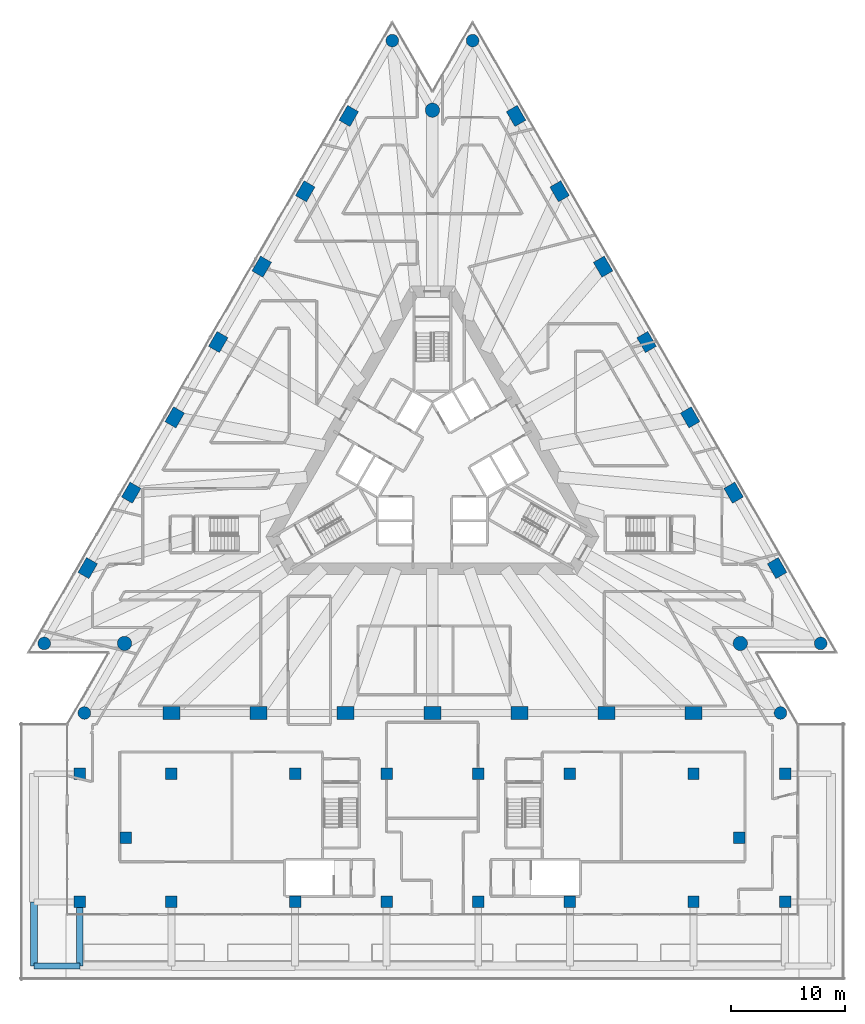
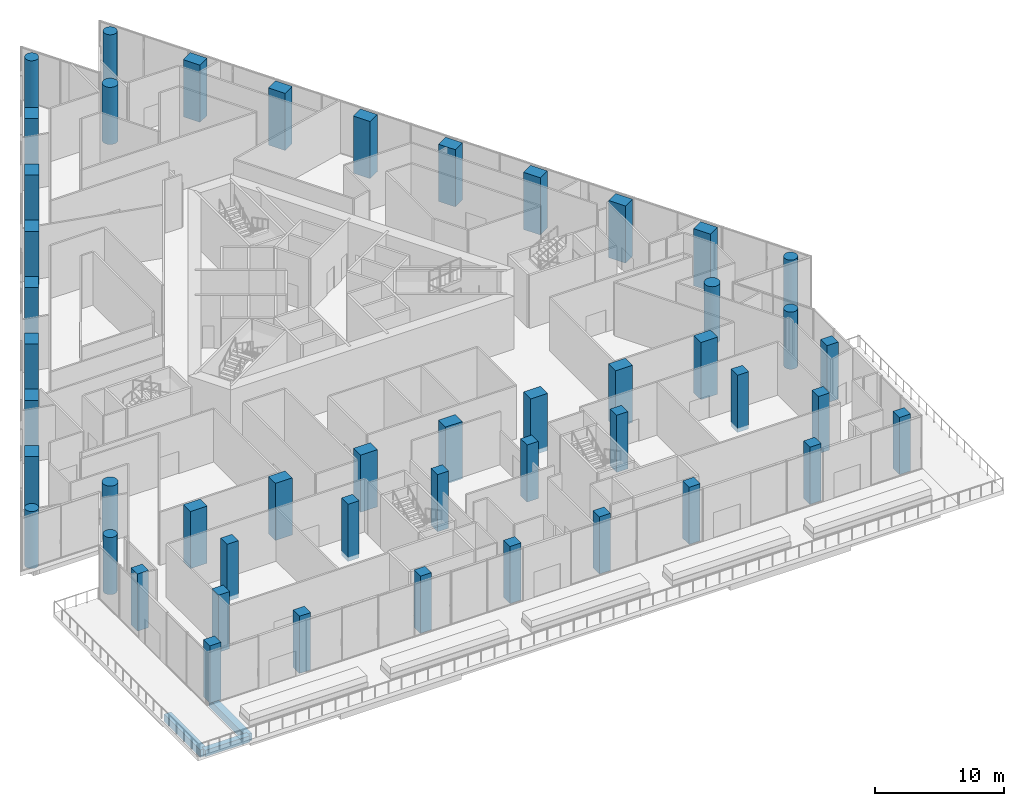
# One storey, part 1 of 32: 48 columns, 3 beams.
"""IFC4 building model written with IfcOpenShell, lengths in metres."""

from ifc_helpers import new_model, si_unit, direction, frame, origin, origin_2d, place, context, subcontext, project, spatial, rectangle, circle, extrude, material, material_profile, profile_set, type_object, element, save


model = new_model("IFC4")

# Units and contexts
model_context = context("Model", 3, precision=1e-05, world=origin(), true_north=direction((0.0, 1.0)))
body_context = subcontext(model_context, "Body", "Model", "MODEL_VIEW")
ifc_project = project(units=[si_unit("LENGTHUNIT", "METRE"), si_unit("AREAUNIT", "SQUARE_METRE"), si_unit("VOLUMEUNIT", "CUBIC_METRE"), si_unit("PLANEANGLEUNIT", "RADIAN"), si_unit("MASSUNIT", "GRAM", prefix="KILO")], contexts=[model_context])

# Site, building, storey
site_placement = place(None, origin())
site = spatial("IfcSite", under=ifc_project, at=site_placement, CompositionType="ELEMENT")
building_placement = place(site_placement, origin())
building = spatial("IfcBuilding", under=site, at=building_placement, Name="Triada Interchange Tower", CompositionType="ELEMENT")
storey_placement = place(building_placement, frame((0.0, 0.0, 14.5)))
storey = spatial("IfcBuildingStorey", under=building, at=storey_placement, Name="L02", CompositionType="ELEMENT", Elevation=14.5)

# Columns
ifc_material_1 = material(Name="Concrete C70/85", Category="concrete")
ifc_material_profile_1 = material_profile(ifc_material_1, rectangle(XDim=1.5, YDim=1.10009765625, at=origin_2d()), Name="RC 1500x1100")
ifc_profile_set_1 = profile_set([ifc_material_profile_1], Name="Concrete C70/85")
column_type_1 = type_object("IfcColumnType", Name="Column P face RC 1500x1100", PredefinedType="COLUMN", material=ifc_profile_set_1)
for number, where, z_axis, x_axis, name in (
    (1, (-7.306884765625, 30.5439453125, -0.39990234375), (0.0, 0.0, 1.0), (0.5, 0.866025403784, 0.0), "Column CP02 L02"),
    (2, (-11.10595703125, 23.9619140625, -0.39990234375), (0.0, 0.0, 1.0), (0.5, 0.866025403784, 0.0), "Column CP03 L02"),
    (3, (-14.906005859375, 17.381103515625, -0.39990234375), (0.0, 0.0, 1.0), (0.5, 0.866025403784, 0.0), "Column CP04 L02"),
    (4, (-18.7060546875, 10.800048828125, -0.39990234375), (0.0, 0.0, 1.0), (0.5, 0.866025403784, 0.0), "Column CP05 L02"),
    (5, (-22.506103515625, 4.218994140625, -0.39990234375), (0.0, 0.0, 1.0), (0.5, 0.866025403784, 0.0), "Column CP06 L02"),
    (6, (-26.305908203125, -2.362060546875, -0.39990234375), (0.0, 0.0, 1.0), (0.5, 0.866025403784, 0.0), "Column CP07 L02"),
    (7, (-30.10498046875, -8.944091796875, -0.39990234375), (0.0, 0.0, 1.0), (0.5, 0.866025403784, 0.0), "Column CP08 L02"),
    (8, (-22.798095703125, -21.60009765625, -0.39990234375), (0.0, 0.0, 1.0), (1.0, 0.0, 0.0), "Column CP11 L02"),
    (9, (-15.197998046875, -21.60009765625, -0.39990234375), (0.0, 0.0, 1.0), (1.0, 0.0, 0.0), "Column CP12 L02"),
    (10, (-7.59912109375, -21.60009765625, -0.39990234375), (0.0, 0.0, 1.0), (1.0, 0.0, 0.0), "Column CP13 L02"),
    (11, (0.0, -21.60009765625, -0.39990234375), (0.0, 0.0, 1.0), (1.0, 0.0, 0.0), "Column CP14 L02"),
    (12, (7.59912109375, -21.60009765625, -0.39990234375), (0.0, 0.0, 1.0), (1.0, 0.0, 0.0), "Column CP15 L02"),
    (13, (15.198974609375, -21.60009765625, -0.39990234375), (0.0, 0.0, 1.0), (1.0, 0.0, 0.0), "Column CP16 L02"),
    (14, (22.798095703125, -21.60009765625, -0.39990234375), (0.0, 0.0, 1.0), (1.0, 0.0, 0.0), "Column CP17 L02"),
    (15, (30.10498046875, -8.944091796875, -0.39990234375), (0.0, 0.0, 1.0), (-0.5, 0.866025403784, 0.0), "Column CP20 L02"),
    (16, (26.305908203125, -2.363037109375, -0.39990234375), (0.0, 0.0, 1.0), (-0.5, 0.866025403784, 0.0), "Column CP21 L02"),
    (17, (22.506103515625, 4.218994140625, -0.39990234375), (0.0, 0.0, 1.0), (-0.5, 0.866025403784, 0.0), "Column CP22 L02"),
    (18, (18.7060546875, 10.800048828125, -0.39990234375), (0.0, 0.0, 1.0), (-0.5, 0.866025403784, 0.0), "Column CP23 L02"),
    (19, (14.906005859375, 17.381103515625, -0.39990234375), (0.0, 0.0, 1.0), (-0.5, 0.866025403784, 0.0), "Column CP24 L02"),
    (20, (11.10595703125, 23.9619140625, -0.39990234375), (0.0, 0.0, 1.0), (-0.5, 0.866025403784, 0.0), "Column CP25 L02"),
    (21, (7.306884765625, 30.5439453125, -0.39990234375), (0.0, 0.0, 1.0), (-0.5, 0.866025403784, 0.0), "Column CP26 L02"),
):
    element("IfcColumn", number, at=place(storey_placement, frame(where, z_axis=z_axis, x_axis=x_axis)), inside=storey, type_object=column_type_1, Name=name, PredefinedType="COLUMN", context=body_context, shape_type="SweptSolid", body=[
        extrude(rectangle(XDim=1.5, YDim=1.10009765625, at=origin_2d()), origin(), (0.0, 0.0, 1.0), 5.39990234375),
    ])
ifc_material_2 = material(Name="Concrete C50/60", Category="concrete")
ifc_material_profile_2 = material_profile(ifc_material_2, rectangle(XDim=1.0, YDim=1.0, at=origin_2d()), Name="RC 1000x1000")
ifc_profile_set_2 = profile_set([ifc_material_profile_2], Name="Concrete C50/60")
column_type_2 = type_object("IfcColumnType", Name="Column X annex RC 1000x1000", PredefinedType="COLUMN", material=ifc_profile_set_2)
for number, where, z_axis, x_axis, name in (
    (22, (-30.800048828125, -38.10009765625, -0.39990234375), (0.0, 0.0, 1.0), (1.0, 0.0, 0.0), "Column CX023 L02"),
    (23, (-22.800048828125, -38.10009765625, -0.39990234375), (0.0, 0.0, 1.0), (1.0, 0.0, 0.0), "Column CX024 L02"),
    (24, (-12.0, -38.10009765625, -0.39990234375), (0.0, 0.0, 1.0), (1.0, 0.0, 0.0), "Column CX025 L02"),
    (25, (-4.0, -38.10009765625, -0.39990234375), (0.0, 0.0, 1.0), (1.0, 0.0, 0.0), "Column CX026 L02"),
    (26, (4.0, -38.10009765625, -0.39990234375), (0.0, 0.0, 1.0), (1.0, 0.0, 0.0), "Column CX027 L02"),
    (27, (12.0, -38.10009765625, -0.39990234375), (0.0, 0.0, 1.0), (1.0, 0.0, 0.0), "Column CX028 L02"),
    (28, (22.800048828125, -38.10009765625, -0.39990234375), (0.0, 0.0, 1.0), (1.0, 0.0, 0.0), "Column CX029 L02"),
    (29, (30.800048828125, -38.10009765625, -0.39990234375), (0.0, 0.0, 1.0), (1.0, 0.0, 0.0), "Column CX030 L02"),
    (30, (-26.800048828125, -32.5, -0.39990234375), (0.0, 0.0, 1.0), (1.0, 0.0, 0.0), "Column CX033 L02"),
    (31, (26.800048828125, -32.5, -0.39990234375), (0.0, 0.0, 1.0), (1.0, 0.0, 0.0), "Column CX040 L02"),
    (32, (-30.800048828125, -26.89990234375, -0.39990234375), (0.0, 0.0, 1.0), (1.0, 0.0, 0.0), "Column CX043 L02"),
    (33, (-22.800048828125, -26.89990234375, -0.39990234375), (0.0, 0.0, 1.0), (1.0, 0.0, 0.0), "Column CX045 L02"),
    (34, (-12.0, -26.89990234375, -0.39990234375), (0.0, 0.0, 1.0), (1.0, 0.0, 0.0), "Column CX046 L02"),
    (35, (-4.0, -26.89990234375, -0.39990234375), (0.0, 0.0, 1.0), (1.0, 0.0, 0.0), "Column CX047 L02"),
    (36, (4.0, -26.89990234375, -0.39990234375), (0.0, 0.0, 1.0), (1.0, 0.0, 0.0), "Column CX048 L02"),
    (37, (12.0, -26.89990234375, -0.39990234375), (0.0, 0.0, 1.0), (1.0, 0.0, 0.0), "Column CX049 L02"),
    (38, (22.800048828125, -26.89990234375, -0.39990234375), (0.0, 0.0, 1.0), (1.0, 0.0, 0.0), "Column CX050 L02"),
    (39, (30.800048828125, -26.89990234375, -0.39990234375), (0.0, 0.0, 1.0), (1.0, 0.0, 0.0), "Column CX052 L02"),
):
    element("IfcColumn", number, at=place(storey_placement, frame(where, z_axis=z_axis, x_axis=x_axis)), inside=storey, type_object=column_type_2, Name=name, PredefinedType="COLUMN", context=body_context, shape_type="SweptSolid", body=[
        extrude(rectangle(XDim=1.0, YDim=1.0, at=origin_2d()), origin(), (0.0, 0.0, 1.0), 5.39990234375),
    ])
ifc_material_profile_3 = material_profile(ifc_material_1, circle(Radius=0.550048828125, at=origin_2d()), Name="RC D1100")
ifc_profile_set_3 = profile_set([ifc_material_profile_3], Name="Concrete C70/85")
column_type_3 = type_object("IfcColumnType", Name="End column P RC D1100", PredefinedType="COLUMN", material=ifc_profile_set_3)
for number, where, z_axis, x_axis, name in (
    (40, (-3.507080078125, 37.125, -0.39990234375), (0.0, 0.0, 1.0), (0.5, 0.866025403784, 0.0), "Column CP01 L02"),
    (41, (-33.905029296875, -15.52490234375, -0.39990234375), (0.0, 0.0, 1.0), (0.5, 0.866025403784, 0.0), "Column CP09 L02"),
    (42, (-30.39697265625, -21.60009765625, -0.39990234375), (0.0, 0.0, 1.0), (1.0, 0.0, 0.0), "Column CP10 L02"),
    (43, (30.39697265625, -21.60009765625, -0.39990234375), (0.0, 0.0, 1.0), (1.0, 0.0, 0.0), "Column CP18 L02"),
    (44, (33.905029296875, -15.52490234375, -0.39990234375), (0.0, 0.0, 1.0), (-0.5, 0.866025403784, 0.0), "Column CP19 L02"),
    (45, (3.507080078125, 37.125, -0.39990234375), (0.0, 0.0, 1.0), (-0.5, 0.866025403784, 0.0), "Column CP27 L02"),
):
    element("IfcColumn", number, at=place(storey_placement, frame(where, z_axis=z_axis, x_axis=x_axis)), inside=storey, type_object=column_type_3, Name=name, PredefinedType="COLUMN", context=body_context, shape_type="SweptSolid", body=[
        extrude(circle(Radius=0.550048828125, at=origin_2d()), origin(), (0.0, 0.0, 1.0), 5.39990234375),
    ])
ifc_material_profile_4 = material_profile(ifc_material_1, circle(Radius=0.625, at=origin_2d()), Name="RC D1250")
ifc_profile_set_4 = profile_set([ifc_material_profile_4], Name="Concrete C70/85")
column_type_4 = type_object("IfcColumnType", Name="Mega column P RC D1250", PredefinedType="COLUMN", material=ifc_profile_set_4)
for number, where, z_axis, x_axis, name in (
    (46, (0.0, 31.050048828125, -0.39990234375), (0.0, 0.0, 1.0), (1.0, 0.0, 0.0), "Column MP1 L02"),
    (47, (-26.889892578125, -15.52490234375, -0.39990234375), (0.0, 0.0, 1.0), (1.0, 0.0, 0.0), "Column MP2 L02"),
    (48, (26.889892578125, -15.52490234375, -0.39990234375), (0.0, 0.0, 1.0), (1.0, 0.0, 0.0), "Column MP3 L02"),
):
    element("IfcColumn", number, at=place(storey_placement, frame(where, z_axis=z_axis, x_axis=x_axis)), inside=storey, type_object=column_type_4, Name=name, PredefinedType="COLUMN", context=body_context, shape_type="SweptSolid", body=[
        extrude(circle(Radius=0.625, at=origin_2d()), origin(), (0.0, 0.0, 1.0), 5.39990234375),
    ])

# Beams
ifc_material_3 = material(Name="Concrete C40/50", Category="concrete")
ifc_material_profile_5 = material_profile(ifc_material_3, rectangle(XDim=0.5, YDim=0.60009765625, at=origin_2d()), Name="RC 500x600")
ifc_profile_set_5 = profile_set([ifc_material_profile_5], Name="Concrete C40/50")
beam_type_1 = type_object("IfcBeamType", Name="Terrace beam RC 500x600", PredefinedType="BEAM", material=ifc_profile_set_5)
beam_placement = place(storey_placement, frame((-34.800048828125, -43.699951171875, -0.699951171875), z_axis=(1.0, 0.0, 0.0), x_axis=(0.0, 1.0, 0.0)))
element("IfcBeam", 49, at=beam_placement, inside=storey, type_object=beam_type_1, Name="Terrace beam TE01 L02", PredefinedType="BEAM", context=body_context, shape_type="SweptSolid", body=[
    extrude(rectangle(XDim=0.5, YDim=0.60009765625, at=origin_2d()), origin(), (0.0, 0.0, 1.0), 4.0),
])
ifc_material_profile_6 = material_profile(ifc_material_3, rectangle(XDim=0.60009765625, YDim=0.699951171875, at=origin_2d()), Name="RC 600x700")
ifc_profile_set_6 = profile_set([ifc_material_profile_6], Name="Concrete C40/50")
beam_type_2 = type_object("IfcBeamType", Name="Terrace beam RC 600x700", PredefinedType="BEAM", material=ifc_profile_set_6)
for number, where, z_axis, x_axis, name in (
    (50, (-34.800048828125, -43.699951171875, -0.75), (0.0, 1.0, 0.0), (-1.0, 0.0, 0.0), "Terrace beam TE04 L02"),
    (51, (-30.800048828125, -43.699951171875, -0.75), (0.0, 1.0, 0.0), (-1.0, 0.0, 0.0), "Terrace beam TE11 L02"),
):
    element("IfcBeam", number, at=place(storey_placement, frame(where, z_axis=z_axis, x_axis=x_axis)), inside=storey, type_object=beam_type_2, Name=name, PredefinedType="BEAM", context=body_context, shape_type="SweptSolid", body=[
        extrude(rectangle(XDim=0.60009765625, YDim=0.699951171875, at=origin_2d()), origin(), (0.0, 0.0, 1.0), 5.599853515625),
    ])

save(model, "model.ifc")
